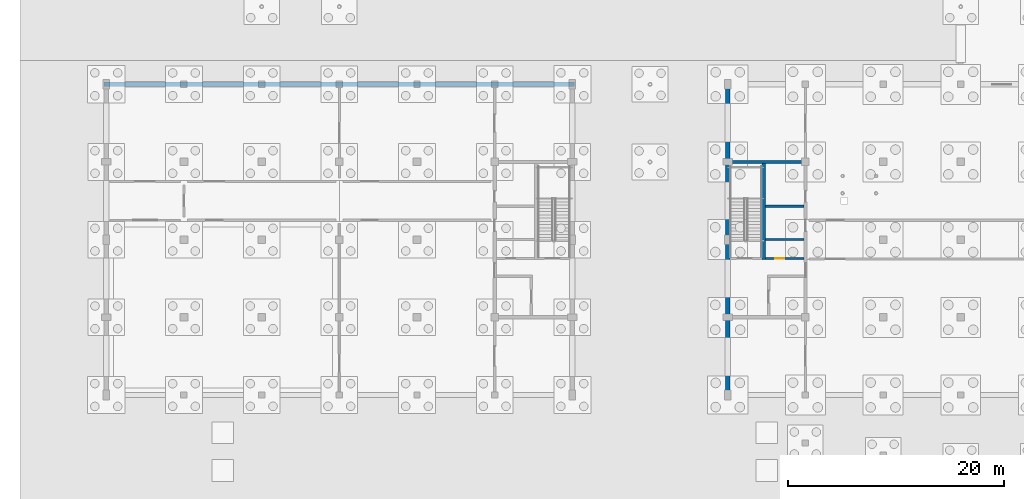
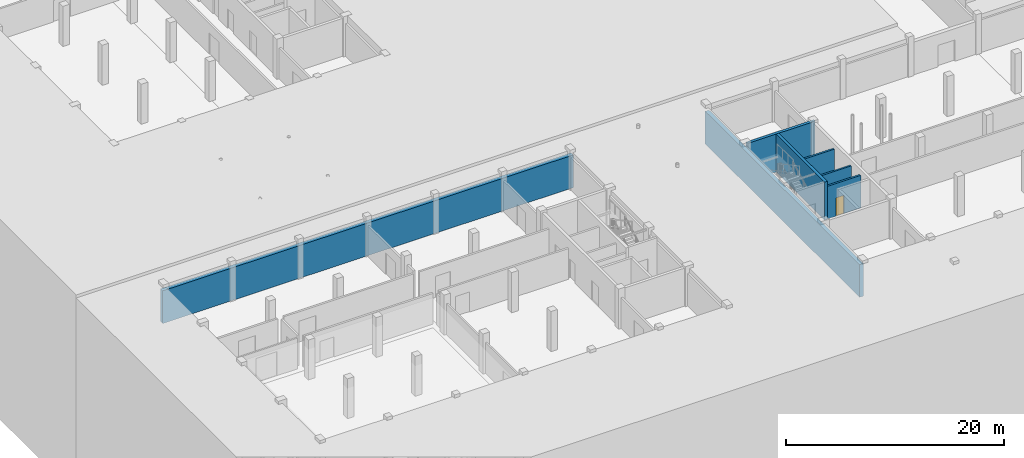
# One storey, part 25 of 51: 7 walls, 1 door, 1 opening.
"""IFC4 building model written with IfcOpenShell, lengths in metres."""

from ifc_helpers import new_model, si_unit, direction, frame, frame_2d, origin, place, context, subcontext, project, spatial, rectangle, extrude, material, layer, layer_set, type_object, element, fill, save


model = new_model("IFC4")

# Units and contexts
model_context = context("Model", 3, precision=1e-05, world=origin(), true_north=direction((0.0, 1.0)))
body_context = subcontext(model_context, "Body", "Model", "MODEL_VIEW")
ifc_project = project(units=[si_unit("LENGTHUNIT", "METRE"), si_unit("AREAUNIT", "SQUARE_METRE"), si_unit("VOLUMEUNIT", "CUBIC_METRE"), si_unit("PLANEANGLEUNIT", "RADIAN"), si_unit("MASSUNIT", "GRAM", prefix="KILO")], contexts=[model_context])

# Site, building, storey
site_placement = place(None, origin())
site = spatial("IfcSite", under=ifc_project, at=site_placement, CompositionType="ELEMENT")
building_placement = place(site_placement, origin())
building = spatial("IfcBuilding", under=site, at=building_placement, Name="Zlatovets Crest Museum", CompositionType="ELEMENT")
storey_placement = place(building_placement, frame((0.0, 0.0, -4.5)))
storey = spatial("IfcBuildingStorey", under=building, at=storey_placement, Name="B1", CompositionType="ELEMENT", Elevation=-4.5)

# Walls
ifc_material_1 = material(Name="Concrete C35/45", Category="concrete")
ifc_layer_1 = layer(ifc_material_1, 0.300048828125)
ifc_layer_set_1 = layer_set([ifc_layer_1], Name="Concrete C35/45")
wall_type_1 = type_object("IfcWallType", Name="CoreWall_SW01", PredefinedType="SHEAR", material=ifc_layer_set_1)
wall_1_placement = place(storey_placement, frame((57.800048828125, 21.60009765625, 0.0), z_axis=(0.0, 0.0, 1.0), x_axis=(1.0, 0.0, 0.0)))
element("IfcWall", 1, at=wall_1_placement, inside=storey, type_object=wall_type_1, Name="Core C2 B1 North Shear Wall", PredefinedType="SHEAR", context=body_context, shape_type="SweptSolid", body=[
    extrude(rectangle(XDim=7.14990234375, YDim=0.300048828125, at=frame_2d((3.574951171875, 0.0))), origin(), (0.0, 0.0, 1.0), 4.25),
])
wall_2_placement = place(storey_placement, frame((60.949951171875, 12.5400390625, 0.0), z_axis=(0.0, 0.0, 1.0), x_axis=(0.0, 1.0, 0.0)))
element("IfcWall", 2, at=wall_2_placement, inside=storey, type_object=wall_type_1, Name="Core C2 B1 Stair Divider Wall", PredefinedType="SHEAR", context=body_context, shape_type="SweptSolid", body=[
    extrude(rectangle(XDim=8.909912109375, YDim=0.300048828125, at=frame_2d((4.455078125, 0.0))), origin(), (0.0, 0.0, 1.0), 4.25),
])

# Wall, opening, door
ifc_material_2 = material(Name="Sanitary core acoustic service wall")
ifc_layer_2 = layer(ifc_material_2, 0.219970703125)
ifc_layer_set_2 = layer_set([ifc_layer_2], Name="Sanitary core acoustic service wall")
wall_type_2 = type_object("IfcWallType", Name="PartWall_PT-04", PredefinedType="PLUMBINGWALL", material=ifc_layer_set_2)
wall_3_placement = place(storey_placement, frame((61.10009765625, 12.64990234375, 0.0), z_axis=(0.0, 0.0, 1.0), x_axis=(1.0, 0.0, 0.0)))
wall_3 = element("IfcWall", 3, at=wall_3_placement, inside=storey, type_object=wall_type_2, Name="Core C2 B1 Riser Lobby Wall", PredefinedType="PLUMBINGWALL", context=body_context, shape_type="SweptSolid", body=[
    extrude(rectangle(XDim=3.5498046875, YDim=0.199951171875, at=frame_2d((1.77490234375, 0.0))), origin(), (0.0, 0.0, 1.0), 3.669921875),
])
opening_placement = place(wall_3_placement, frame((0.89990234375, 0.0, 0.0)))
opening = element("IfcOpeningElement", 4, at=opening_placement, cuts=wall_3, Name="Opening FD-03", PredefinedType="OPENING", context=body_context, shape_type="SweptSolid", body=[
    extrude(rectangle(XDim=0.85009765625, YDim=2.050048828125, at=frame_2d((0.425048828125, 1.02490234375))), frame((0.0, 0.10986328125, 0.0), z_axis=(0.0, -1.0, 0.0), x_axis=(1.0, 0.0, 0.0)), (0.0, 0.0, 1.0), 0.219970703125),
])
ifc_material_3 = material(Name="Steel riser shaft access fire door", Category="steel")
door_type = type_object("IfcDoorType", Name="IntDoor_FD-03", OperationType="NOTDEFINED", PredefinedType="TRAPDOOR", material=ifc_material_3)
door_placement = place(opening_placement, origin())
door = element("IfcDoor", 5, at=door_placement, inside=storey, type_object=door_type, Name="CDOOR-C2-B1-RIS Core C2 B1 Riser Access Door", OperationType="SINGLE_SWING_RIGHT", OverallHeight=2.050048828125, OverallWidth=0.85009765625, PredefinedType="TRAPDOOR", context=body_context, shape_type="SweptSolid", body=[
    extrude(rectangle(XDim=0.85009765625, YDim=2.050048828125, at=frame_2d((0.425048828125, 1.02490234375))), frame((0.0, 0.02490234375, 0.0), z_axis=(0.0, -1.0, 0.0), x_axis=(1.0, 0.0, 0.0)), (0.0, 0.0, 1.0), 0.050048828125),
])
fill(opening, door)

# Walls
for number, where, z_axis, x_axis, name in (
    (6, (61.10009765625, 14.39990234375, 0.0), (0.0, 0.0, 1.0), (1.0, 0.0, 0.0), "Core C2 B1 Sanitary Divider"),
    (7, (61.10009765625, 17.5, 0.0), (0.0, 0.0, 1.0), (1.0, 0.0, 0.0), "Core C2 B1 Sanitary Divider"),
):
    element("IfcWall", number, at=place(storey_placement, frame(where, z_axis=z_axis, x_axis=x_axis)), inside=storey, type_object=wall_type_2, Name=name, PredefinedType="PLUMBINGWALL", context=body_context, shape_type="SweptSolid", body=[
        extrude(rectangle(XDim=3.5498046875, YDim=0.199951171875, at=frame_2d((1.77490234375, 0.0))), origin(), (0.0, 0.0, 1.0), 3.669921875),
    ])
ifc_layer_3 = layer(ifc_material_1, 0.39990234375)
ifc_layer_set_3 = layer_set([ifc_layer_3], Name="Concrete C35/45")
wall_type_3 = type_object("IfcWallType", Name="RetainingWall_RW01", PredefinedType="USERDEFINED", material=ifc_layer_set_3)
wall_4_placement = place(storey_placement, frame((57.60009765625, 28.60009765625, 0.0), z_axis=(0.0, 0.0, 1.0), x_axis=(0.0, -1.0, 0.0)))
element("IfcWall", 8, at=wall_4_placement, inside=storey, type_object=wall_type_3, Name="V2 B1 Retaining Wall W", ObjectType="RETAINING WALL", PredefinedType="USERDEFINED", context=body_context, shape_type="SweptSolid", body=[
    extrude(rectangle(XDim=28.400146484375, YDim=0.39990234375, at=frame_2d((14.2001953125, 0.0))), origin(), (0.0, 0.0, 1.0), 3.669921875),
])
wall_5_placement = place(storey_placement, frame((43.39990234375, 28.800048828125, 0.0), z_axis=(0.0, 0.0, 1.0), x_axis=(-1.0, 0.0, 0.0)))
element("IfcWall", 9, at=wall_5_placement, inside=storey, type_object=wall_type_3, Name="V3 B1 Retaining Wall N", ObjectType="RETAINING WALL", PredefinedType="USERDEFINED", context=body_context, shape_type="SweptSolid", body=[
    extrude(rectangle(XDim=43.599853515625, YDim=0.39990234375, at=frame_2d((21.7998046875, 0.0))), origin(), (0.0, 0.0, 1.0), 3.669921875),
])

save(model, "model.ifc")
